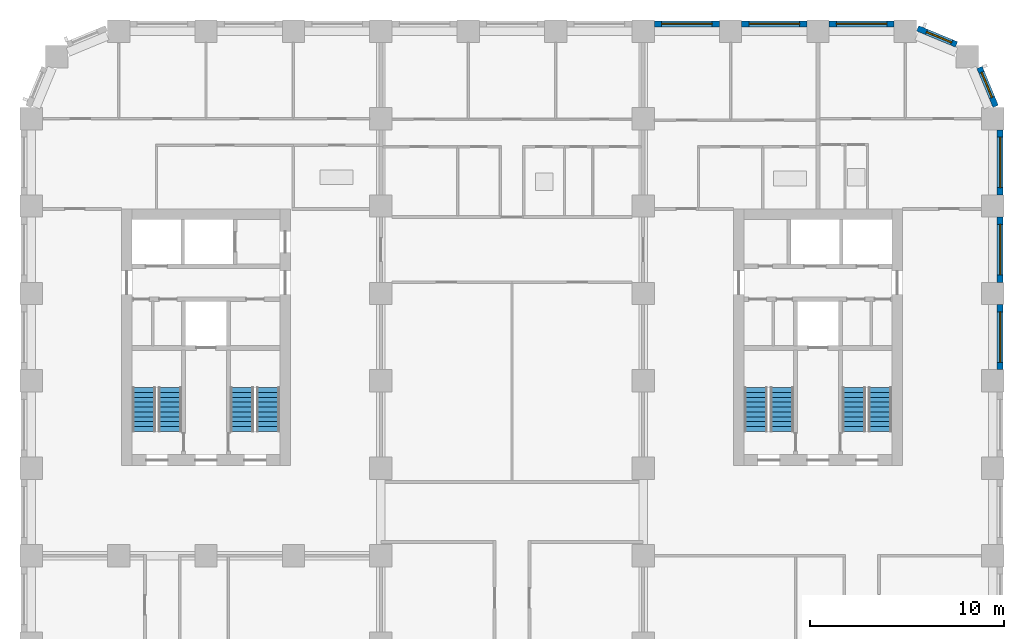
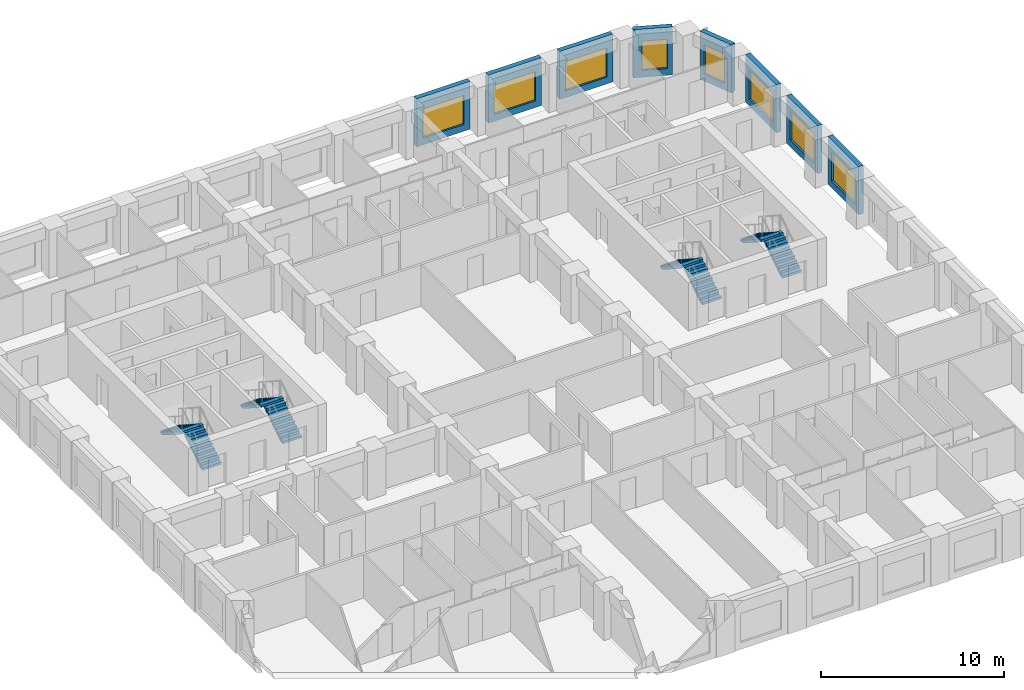
# One storey, part 10 of 13: 8 stair flights, 8 walls, 8 windows, 8 openings, 4 elements without a shape of their own.
"""IFC4 building model written with IfcOpenShell, lengths in metres."""

from ifc_helpers import new_model, si_unit, direction, frame, frame_2d, origin, place, context, subcontext, project, spatial, polyline, rectangle, outline, extrude, material, layer, layer_set, type_object, element, fill, aggregate, save


model = new_model("IFC4")

# Units and contexts
model_context = context("Model", 3, precision=1e-05, world=origin(), true_north=direction((0.0, 1.0)))
body_context = subcontext(model_context, "Body", "Model", "MODEL_VIEW")
ifc_project = project(units=[si_unit("LENGTHUNIT", "METRE"), si_unit("AREAUNIT", "SQUARE_METRE"), si_unit("VOLUMEUNIT", "CUBIC_METRE"), si_unit("PLANEANGLEUNIT", "RADIAN"), si_unit("MASSUNIT", "GRAM", prefix="KILO")], contexts=[model_context])

# Site, building, storey
site_placement = place(None, origin())
site = spatial("IfcSite", under=ifc_project, at=site_placement, CompositionType="ELEMENT")
building_placement = place(site_placement, origin())
building = spatial("IfcBuilding", under=site, at=building_placement, Name="Girih Gate Residences", CompositionType="ELEMENT")
storey_placement = place(building_placement, frame((0.0, 0.0, 83.199951171875)))
storey = spatial("IfcBuildingStorey", under=building, at=storey_placement, Name="L22", CompositionType="ELEMENT", Elevation=83.199951171875)

# Wall, opening, window
ifc_material_1 = material(Name="Precast concrete C50/60", Category="concrete")
ifc_layer_1 = layer(ifc_material_1, 0.080078125, Name="Outer leaf")
ifc_material_2 = material(Name="Rigid PIR insulation")
ifc_layer_2 = layer(ifc_material_2, 0.14990234375, Name="Insulation")
ifc_material_3 = material(Name="Precast concrete C40/50", Category="concrete")
ifc_layer_3 = layer(ifc_material_3, 0.070068359375, Name="Inner leaf")
ifc_layer_set = layer_set([ifc_layer_1, ifc_layer_2, ifc_layer_3], Name="Precast concrete C50/60 external wall 300")
wall_type = type_object("IfcWallType", Name="Precast concrete C50/60 external wall 300", PredefinedType="SOLIDWALL", material=ifc_layer_set)
wall_1_placement = place(storey_placement, frame((49.875, 35.425048828125, 0.0), z_axis=(0.0, 0.0, 1.0), x_axis=(0.0, -1.0, 0.0)))
wall_1 = element("IfcWall", 1, at=wall_1_placement, inside=storey, type_object=wall_type, Name="External wall E0495_0045.6", PredefinedType="SOLIDWALL", context=body_context, shape_type="SweptSolid", body=[
    extrude(rectangle(XDim=3.35009765625, YDim=0.300048828125, at=frame_2d((1.675048828125, 0.0))), origin(), (0.0, 0.0, 1.0), 3.199951171875),
])
opening_1_placement = place(wall_1_placement, frame((0.375, 0.0, 0.449951171875)))
opening_1 = element("IfcOpeningElement", 2, at=opening_1_placement, cuts=wall_1, Name="Opening W-1A", PredefinedType="OPENING", context=body_context, shape_type="SweptSolid", body=[
    extrude(rectangle(XDim=2.60009765625, YDim=1.949951171875, at=frame_2d((1.300048828125, 0.97509765625))), frame((0.0, 0.159912109375, 0.0), z_axis=(0.0, -1.0, 0.0), x_axis=(1.0, 0.0, 0.0)), (0.0, 0.0, 1.0), 0.320068359375),
])
ifc_material_4 = material(Name="Double glazing in aluminium frame", Category="aluminium")
window_type_1 = type_object("IfcWindowType", Name="Window W-1A 2600x1950", PartitioningType="SINGLE_PANEL", PredefinedType="WINDOW", material=ifc_material_4)
window_1_placement = place(opening_1_placement, origin())
window_1 = element("IfcWindow", 3, at=window_1_placement, inside=storey, type_object=window_type_1, Name="Window W-1A E0495_0045.6", OverallHeight=1.949951171875, OverallWidth=2.60009765625, PartitioningType="SINGLE_PANEL", PredefinedType="WINDOW", context=body_context, shape_type="SweptSolid", body=[
    extrude(rectangle(XDim=2.60009765625, YDim=1.949951171875, at=frame_2d((1.300048828125, 0.97509765625))), frame((0.0, 0.030029296875, 0.0), z_axis=(0.0, -1.0, 0.0), x_axis=(1.0, 0.0, 0.0)), (0.0, 0.0, 1.0), 0.06005859375),
])
fill(opening_1, window_1)

wall_2_placement = place(storey_placement, frame((49.875, 39.925048828125, 0.0), z_axis=(0.0, 0.0, 1.0), x_axis=(0.0, -1.0, 0.0)))
wall_2 = element("IfcWall", 4, at=wall_2_placement, inside=storey, type_object=wall_type, Name="External wall E0495_0045.7", PredefinedType="SOLIDWALL", context=body_context, shape_type="SweptSolid", body=[
    extrude(rectangle(XDim=3.35009765625, YDim=0.300048828125, at=frame_2d((1.675048828125, 0.0))), origin(), (0.0, 0.0, 1.0), 3.199951171875),
])
opening_2_placement = place(wall_2_placement, frame((0.375, 0.0, 0.449951171875)))
opening_2 = element("IfcOpeningElement", 5, at=opening_2_placement, cuts=wall_2, Name="Opening W-1A", PredefinedType="OPENING", context=body_context, shape_type="SweptSolid", body=[
    extrude(rectangle(XDim=2.60009765625, YDim=1.949951171875, at=frame_2d((1.300048828125, 0.97509765625))), frame((0.0, 0.159912109375, 0.0), z_axis=(0.0, -1.0, 0.0), x_axis=(1.0, 0.0, 0.0)), (0.0, 0.0, 1.0), 0.320068359375),
])
window_2_placement = place(opening_2_placement, origin())
window_2 = element("IfcWindow", 6, at=window_2_placement, inside=storey, type_object=window_type_1, Name="Window W-1A E0495_0045.7", OverallHeight=1.949951171875, OverallWidth=2.60009765625, PartitioningType="SINGLE_PANEL", PredefinedType="WINDOW", context=body_context, shape_type="SweptSolid", body=[
    extrude(rectangle(XDim=2.60009765625, YDim=1.949951171875, at=frame_2d((1.300048828125, 0.97509765625))), frame((0.0, 0.030029296875, 0.0), z_axis=(0.0, -1.0, 0.0), x_axis=(1.0, 0.0, 0.0)), (0.0, 0.0, 1.0), 0.06005859375),
])
fill(opening_2, window_2)

wall_3_placement = place(storey_placement, frame((49.875, 44.425048828125, 0.0), z_axis=(0.0, 0.0, 1.0), x_axis=(0.0, -1.0, 0.0)))
wall_3 = element("IfcWall", 7, at=wall_3_placement, inside=storey, type_object=wall_type, Name="External wall E0495_0045.8", PredefinedType="SOLIDWALL", context=body_context, shape_type="SweptSolid", body=[
    extrude(rectangle(XDim=3.35009765625, YDim=0.300048828125, at=frame_2d((1.675048828125, 0.0))), origin(), (0.0, 0.0, 1.0), 3.199951171875),
])
opening_3_placement = place(wall_3_placement, frame((0.375, 0.0, 0.449951171875)))
opening_3 = element("IfcOpeningElement", 8, at=opening_3_placement, cuts=wall_3, Name="Opening W-1A", PredefinedType="OPENING", context=body_context, shape_type="SweptSolid", body=[
    extrude(rectangle(XDim=2.60009765625, YDim=1.949951171875, at=frame_2d((1.300048828125, 0.97509765625))), frame((0.0, 0.159912109375, 0.0), z_axis=(0.0, -1.0, 0.0), x_axis=(1.0, 0.0, 0.0)), (0.0, 0.0, 1.0), 0.320068359375),
])
window_3_placement = place(opening_3_placement, origin())
window_3 = element("IfcWindow", 9, at=window_3_placement, inside=storey, type_object=window_type_1, Name="Window W-1A E0495_0045.8", OverallHeight=1.949951171875, OverallWidth=2.60009765625, PartitioningType="SINGLE_PANEL", PredefinedType="WINDOW", context=body_context, shape_type="SweptSolid", body=[
    extrude(rectangle(XDim=2.60009765625, YDim=1.949951171875, at=frame_2d((1.300048828125, 0.97509765625))), frame((0.0, 0.030029296875, 0.0), z_axis=(0.0, -1.0, 0.0), x_axis=(1.0, 0.0, 0.0)), (0.0, 0.0, 1.0), 0.06005859375),
])
fill(opening_3, window_3)

wall_4_placement = place(storey_placement, frame((48.81591796875, 47.63134765625, 0.0), z_axis=(0.0, 0.0, 1.0), x_axis=(0.382723818695, -0.923862802911, 0.0)))
wall_4 = element("IfcWall", 10, at=wall_4_placement, inside=storey, type_object=wall_type, Name="External wall NE0495_0450.0", PredefinedType="SOLIDWALL", context=body_context, shape_type="SweptSolid", body=[
    extrude(rectangle(XDim=2.163818359375, YDim=0.300048828125, at=frame_2d((1.08203125, 0.0))), origin(), (0.0, 0.0, 1.0), 3.199951171875),
])
opening_4_placement = place(wall_4_placement, frame((0.270751953125, 0.0, 0.449951171875)))
opening_4 = element("IfcOpeningElement", 11, at=opening_4_placement, cuts=wall_4, Name="Opening W-2D", PredefinedType="OPENING", context=body_context, shape_type="SweptSolid", body=[
    extrude(rectangle(XDim=1.39990234375, YDim=1.949951171875, at=frame_2d((0.699951171875, 0.97509765625))), frame((0.0, 0.159912109375, 0.0), z_axis=(0.0, -1.0, 0.0), x_axis=(1.0, 0.0, 0.0)), (0.0, 0.0, 1.0), 0.320068359375),
])
window_type_2 = type_object("IfcWindowType", Name="Window W-2D 1400x1950", PartitioningType="SINGLE_PANEL", PredefinedType="WINDOW", material=ifc_material_4)
window_4_placement = place(opening_4_placement, origin())
window_4 = element("IfcWindow", 12, at=window_4_placement, inside=storey, type_object=window_type_2, Name="Window W-2D NE0495_0450.0", OverallHeight=1.949951171875, OverallWidth=1.39990234375, PartitioningType="SINGLE_PANEL", PredefinedType="WINDOW", context=body_context, shape_type="SweptSolid", body=[
    extrude(rectangle(XDim=1.39990234375, YDim=1.949951171875, at=frame_2d((0.699951171875, 0.97509765625))), frame((0.0, 0.030029296875, 0.0), z_axis=(0.0, -1.0, 0.0), x_axis=(1.0, 0.0, 0.0)), (0.0, 0.0, 1.0), 0.06005859375),
])
fill(opening_4, window_4)

wall_5_placement = place(storey_placement, frame((45.63232421875, 49.64404296875, 0.0), z_axis=(0.0, 0.0, 1.0), x_axis=(0.923862802911, -0.382723818695, 0.0)))
wall_5 = element("IfcWall", 13, at=wall_5_placement, inside=storey, type_object=wall_type, Name="External wall NE0482_0482.0", PredefinedType="SOLIDWALL", context=body_context, shape_type="SweptSolid", body=[
    extrude(rectangle(XDim=2.163818359375, YDim=0.300048828125, at=frame_2d((1.08203125, 0.0))), origin(), (0.0, 0.0, 1.0), 3.199951171875),
])
opening_5_placement = place(wall_5_placement, frame((0.492919921875, 0.0, 0.449951171875)))
opening_5 = element("IfcOpeningElement", 14, at=opening_5_placement, cuts=wall_5, Name="Opening W-2D", PredefinedType="OPENING", context=body_context, shape_type="SweptSolid", body=[
    extrude(rectangle(XDim=1.39990234375, YDim=1.949951171875, at=frame_2d((0.699951171875, 0.97509765625))), frame((0.0, 0.159912109375, 0.0), z_axis=(0.0, -1.0, 0.0), x_axis=(1.0, 0.0, 0.0)), (0.0, 0.0, 1.0), 0.320068359375),
])
window_5_placement = place(opening_5_placement, origin())
window_5 = element("IfcWindow", 15, at=window_5_placement, inside=storey, type_object=window_type_2, Name="Window W-2D NE0482_0482.0", OverallHeight=1.949951171875, OverallWidth=1.39990234375, PartitioningType="SINGLE_PANEL", PredefinedType="WINDOW", context=body_context, shape_type="SweptSolid", body=[
    extrude(rectangle(XDim=1.39990234375, YDim=1.949951171875, at=frame_2d((0.699951171875, 0.97509765625))), frame((0.0, 0.030029296875, 0.0), z_axis=(0.0, -1.0, 0.0), x_axis=(1.0, 0.0, 0.0)), (0.0, 0.0, 1.0), 0.06005859375),
])
fill(opening_5, window_5)

wall_6_placement = place(storey_placement, frame((41.074951171875, 49.875, 0.0), z_axis=(0.0, 0.0, 1.0), x_axis=(1.0, 0.0, 0.0)))
wall_6 = element("IfcWall", 16, at=wall_6_placement, inside=storey, type_object=wall_type, Name="External wall N0450_0495.0", PredefinedType="SOLIDWALL", context=body_context, shape_type="SweptSolid", body=[
    extrude(rectangle(XDim=3.35009765625, YDim=0.300048828125, at=frame_2d((1.675048828125, 0.0))), origin(), (0.0, 0.0, 1.0), 3.199951171875),
])
opening_6_placement = place(wall_6_placement, frame((0.375, 0.0, 0.449951171875)))
opening_6 = element("IfcOpeningElement", 17, at=opening_6_placement, cuts=wall_6, Name="Opening W-1A", PredefinedType="OPENING", context=body_context, shape_type="SweptSolid", body=[
    extrude(rectangle(XDim=2.60009765625, YDim=1.949951171875, at=frame_2d((1.300048828125, 0.97509765625))), frame((0.0, 0.159912109375, 0.0), z_axis=(0.0, -1.0, 0.0), x_axis=(1.0, 0.0, 0.0)), (0.0, 0.0, 1.0), 0.320068359375),
])
window_6_placement = place(opening_6_placement, origin())
window_6 = element("IfcWindow", 18, at=window_6_placement, inside=storey, type_object=window_type_1, Name="Window W-1A N0450_0495.0", OverallHeight=1.949951171875, OverallWidth=2.60009765625, PartitioningType="SINGLE_PANEL", PredefinedType="WINDOW", context=body_context, shape_type="SweptSolid", body=[
    extrude(rectangle(XDim=2.60009765625, YDim=1.949951171875, at=frame_2d((1.300048828125, 0.97509765625))), frame((0.0, 0.030029296875, 0.0), z_axis=(0.0, -1.0, 0.0), x_axis=(1.0, 0.0, 0.0)), (0.0, 0.0, 1.0), 0.06005859375),
])
fill(opening_6, window_6)

wall_7_placement = place(storey_placement, frame((36.574951171875, 49.875, 0.0), z_axis=(0.0, 0.0, 1.0), x_axis=(1.0, 0.0, 0.0)))
wall_7 = element("IfcWall", 19, at=wall_7_placement, inside=storey, type_object=wall_type, Name="External wall N0450_0495.1", PredefinedType="SOLIDWALL", context=body_context, shape_type="SweptSolid", body=[
    extrude(rectangle(XDim=3.35009765625, YDim=0.300048828125, at=frame_2d((1.675048828125, 0.0))), origin(), (0.0, 0.0, 1.0), 3.199951171875),
])
opening_7_placement = place(wall_7_placement, frame((0.375, 0.0, 0.449951171875)))
opening_7 = element("IfcOpeningElement", 20, at=opening_7_placement, cuts=wall_7, Name="Opening W-1A", PredefinedType="OPENING", context=body_context, shape_type="SweptSolid", body=[
    extrude(rectangle(XDim=2.60009765625, YDim=1.949951171875, at=frame_2d((1.300048828125, 0.97509765625))), frame((0.0, 0.159912109375, 0.0), z_axis=(0.0, -1.0, 0.0), x_axis=(1.0, 0.0, 0.0)), (0.0, 0.0, 1.0), 0.320068359375),
])
window_7_placement = place(opening_7_placement, origin())
window_7 = element("IfcWindow", 21, at=window_7_placement, inside=storey, type_object=window_type_1, Name="Window W-1A N0450_0495.1", OverallHeight=1.949951171875, OverallWidth=2.60009765625, PartitioningType="SINGLE_PANEL", PredefinedType="WINDOW", context=body_context, shape_type="SweptSolid", body=[
    extrude(rectangle(XDim=2.60009765625, YDim=1.949951171875, at=frame_2d((1.300048828125, 0.97509765625))), frame((0.0, 0.030029296875, 0.0), z_axis=(0.0, -1.0, 0.0), x_axis=(1.0, 0.0, 0.0)), (0.0, 0.0, 1.0), 0.06005859375),
])
fill(opening_7, window_7)

wall_8_placement = place(storey_placement, frame((32.074951171875, 49.875, 0.0), z_axis=(0.0, 0.0, 1.0), x_axis=(1.0, 0.0, 0.0)))
wall_8 = element("IfcWall", 22, at=wall_8_placement, inside=storey, type_object=wall_type, Name="External wall N0450_0495.2", PredefinedType="SOLIDWALL", context=body_context, shape_type="SweptSolid", body=[
    extrude(rectangle(XDim=3.35009765625, YDim=0.300048828125, at=frame_2d((1.675048828125, 0.0))), origin(), (0.0, 0.0, 1.0), 3.199951171875),
])
opening_8_placement = place(wall_8_placement, frame((0.375, 0.0, 0.449951171875)))
opening_8 = element("IfcOpeningElement", 23, at=opening_8_placement, cuts=wall_8, Name="Opening W-1A", PredefinedType="OPENING", context=body_context, shape_type="SweptSolid", body=[
    extrude(rectangle(XDim=2.60009765625, YDim=1.949951171875, at=frame_2d((1.300048828125, 0.97509765625))), frame((0.0, 0.159912109375, 0.0), z_axis=(0.0, -1.0, 0.0), x_axis=(1.0, 0.0, 0.0)), (0.0, 0.0, 1.0), 0.320068359375),
])
window_8_placement = place(opening_8_placement, origin())
window_8 = element("IfcWindow", 24, at=window_8_placement, inside=storey, type_object=window_type_1, Name="Window W-1A N0450_0495.2", OverallHeight=1.949951171875, OverallWidth=2.60009765625, PartitioningType="SINGLE_PANEL", PredefinedType="WINDOW", context=body_context, shape_type="SweptSolid", body=[
    extrude(rectangle(XDim=2.60009765625, YDim=1.949951171875, at=frame_2d((1.300048828125, 0.97509765625))), frame((0.0, 0.030029296875, 0.0), z_axis=(0.0, -1.0, 0.0), x_axis=(1.0, 0.0, 0.0)), (0.0, 0.0, 1.0), 0.06005859375),
])
fill(opening_8, window_8)

# Stair, stair flights
ifc_material_5 = material(Name="Concrete C40/50", Category="concrete")
stair_type = type_object("IfcStairType", Name="Exit stair", PredefinedType="HALF_TURN_STAIR", material=ifc_material_5)
stair_1_placement = place(storey_placement, origin())
stair_1 = element("IfcStair", 25, at=stair_1_placement, inside=storey, type_object=stair_type, Name="L22 Exit Stair ST-W1", PredefinedType="HALF_TURN_STAIR")
stair_flight_type = type_object("IfcStairFlightType", Name="Stair flight 1200", PredefinedType="STRAIGHT", material=ifc_material_5)
stair_flight_1_placement = place(storey_placement, frame((7.14990234375, 28.89990234375, 0.0), z_axis=(0.0, 0.0, 1.0), x_axis=(0.0, 1.0, 0.0)))
stair_flight_1 = element("IfcStairFlight", 26, at=stair_flight_1_placement, type_object=stair_flight_type, Name="ST-W1 flight 1", NumberOfRisers=10, NumberOfTreads=9, PredefinedType="STRAIGHT", RiserHeight=0.16, TreadLength=0.25, context=body_context, shape_type="SweptSolid", body=[
    extrude(outline(polyline([(0.0, 0.0), (0.0, 0.159912109375), (0.25, 0.159912109375), (0.25, 0.320068359375), (0.5, 0.320068359375), (0.5, 0.47998046875), (0.75, 0.47998046875), (0.75, 0.639892578125), (1.0, 0.639892578125), (1.0, 0.800048828125), (1.25, 0.800048828125), (1.25, 0.9599609375), (1.5, 0.9599609375), (1.5, 1.1201171875), (1.75, 1.1201171875), (1.75, 1.280029296875), (2.0, 1.280029296875), (2.0, 1.43994140625), (2.25, 1.43994140625), (2.25, 1.60009765625), (2.25, 1.29736328125), (0.222900390625, 0.0), (0.0, 0.0)])), frame((0.0, 0.60009765625, 0.0), z_axis=(0.0, -1.0, 0.0), x_axis=(1.0, 0.0, 0.0)), (0.0, 0.0, 1.0), 1.199951171875),
])
stair_flight_2_placement = place(storey_placement, frame((5.800048828125, 31.14990234375, 1.60009765625), z_axis=(0.0, 0.0, 1.0), x_axis=(0.0, -1.0, 0.0)))
stair_flight_2 = element("IfcStairFlight", 27, at=stair_flight_2_placement, type_object=stair_flight_type, Name="ST-W1 flight 2", NumberOfRisers=10, NumberOfTreads=9, PredefinedType="STRAIGHT", RiserHeight=0.16, TreadLength=0.25, context=body_context, shape_type="SweptSolid", body=[
    extrude(outline(polyline([(0.0, 0.0), (0.0, 0.159912109375), (0.25, 0.159912109375), (0.25, 0.320068359375), (0.5, 0.320068359375), (0.5, 0.47998046875), (0.75, 0.47998046875), (0.75, 0.639892578125), (1.0, 0.639892578125), (1.0, 0.800048828125), (1.25, 0.800048828125), (1.25, 0.9599609375), (1.5, 0.9599609375), (1.5, 1.1201171875), (1.75, 1.1201171875), (1.75, 1.280029296875), (2.0, 1.280029296875), (2.0, 1.43994140625), (2.25, 1.43994140625), (2.25, 1.60009765625), (2.25, 1.29736328125), (0.222900390625, 0.0), (0.0, 0.0)])), frame((0.0, 0.60009765625, 0.0), z_axis=(0.0, -1.0, 0.0), x_axis=(1.0, 0.0, 0.0)), (0.0, 0.0, 1.0), 1.199951171875),
])
aggregate(stair_1, [stair_flight_1, stair_flight_2])

stair_2_placement = place(storey_placement, origin())
stair_2 = element("IfcStair", 28, at=stair_2_placement, inside=storey, type_object=stair_type, Name="L22 Exit Stair ST-W2", PredefinedType="HALF_TURN_STAIR")
stair_flight_3_placement = place(storey_placement, frame((12.199951171875, 28.89990234375, 0.0), z_axis=(0.0, 0.0, 1.0), x_axis=(0.0, 1.0, 0.0)))
stair_flight_3 = element("IfcStairFlight", 29, at=stair_flight_3_placement, type_object=stair_flight_type, Name="ST-W2 flight 1", NumberOfRisers=10, NumberOfTreads=9, PredefinedType="STRAIGHT", RiserHeight=0.16, TreadLength=0.25, context=body_context, shape_type="SweptSolid", body=[
    extrude(outline(polyline([(0.0, 0.0), (0.0, 0.159912109375), (0.25, 0.159912109375), (0.25, 0.320068359375), (0.5, 0.320068359375), (0.5, 0.47998046875), (0.75, 0.47998046875), (0.75, 0.639892578125), (1.0, 0.639892578125), (1.0, 0.800048828125), (1.25, 0.800048828125), (1.25, 0.9599609375), (1.5, 0.9599609375), (1.5, 1.1201171875), (1.75, 1.1201171875), (1.75, 1.280029296875), (2.0, 1.280029296875), (2.0, 1.43994140625), (2.25, 1.43994140625), (2.25, 1.60009765625), (2.25, 1.29736328125), (0.222900390625, 0.0), (0.0, 0.0)])), frame((0.0, 0.60009765625, 0.0), z_axis=(0.0, -1.0, 0.0), x_axis=(1.0, 0.0, 0.0)), (0.0, 0.0, 1.0), 1.199951171875),
])
stair_flight_4_placement = place(storey_placement, frame((10.85009765625, 31.14990234375, 1.60009765625), z_axis=(0.0, 0.0, 1.0), x_axis=(0.0, -1.0, 0.0)))
stair_flight_4 = element("IfcStairFlight", 30, at=stair_flight_4_placement, type_object=stair_flight_type, Name="ST-W2 flight 2", NumberOfRisers=10, NumberOfTreads=9, PredefinedType="STRAIGHT", RiserHeight=0.16, TreadLength=0.25, context=body_context, shape_type="SweptSolid", body=[
    extrude(outline(polyline([(0.0, 0.0), (0.0, 0.159912109375), (0.25, 0.159912109375), (0.25, 0.320068359375), (0.5, 0.320068359375), (0.5, 0.47998046875), (0.75, 0.47998046875), (0.75, 0.639892578125), (1.0, 0.639892578125), (1.0, 0.800048828125), (1.25, 0.800048828125), (1.25, 0.9599609375), (1.5, 0.9599609375), (1.5, 1.1201171875), (1.75, 1.1201171875), (1.75, 1.280029296875), (2.0, 1.280029296875), (2.0, 1.43994140625), (2.25, 1.43994140625), (2.25, 1.60009765625), (2.25, 1.29736328125), (0.222900390625, 0.0), (0.0, 0.0)])), frame((0.0, 0.60009765625, 0.0), z_axis=(0.0, -1.0, 0.0), x_axis=(1.0, 0.0, 0.0)), (0.0, 0.0, 1.0), 1.199951171875),
])
aggregate(stair_2, [stair_flight_3, stair_flight_4])

stair_3_placement = place(storey_placement, origin())
stair_3 = element("IfcStair", 31, at=stair_3_placement, inside=storey, type_object=stair_type, Name="L22 Exit Stair ST-E1", PredefinedType="HALF_TURN_STAIR")
stair_flight_5_placement = place(storey_placement, frame((43.699951171875, 28.89990234375, 0.0), z_axis=(0.0, 0.0, 1.0), x_axis=(0.0, 1.0, 0.0)))
stair_flight_5 = element("IfcStairFlight", 32, at=stair_flight_5_placement, type_object=stair_flight_type, Name="ST-E1 flight 1", NumberOfRisers=10, NumberOfTreads=9, PredefinedType="STRAIGHT", RiserHeight=0.16, TreadLength=0.25, context=body_context, shape_type="SweptSolid", body=[
    extrude(outline(polyline([(0.0, 0.0), (0.0, 0.159912109375), (0.25, 0.159912109375), (0.25, 0.320068359375), (0.5, 0.320068359375), (0.5, 0.47998046875), (0.75, 0.47998046875), (0.75, 0.639892578125), (1.0, 0.639892578125), (1.0, 0.800048828125), (1.25, 0.800048828125), (1.25, 0.9599609375), (1.5, 0.9599609375), (1.5, 1.1201171875), (1.75, 1.1201171875), (1.75, 1.280029296875), (2.0, 1.280029296875), (2.0, 1.43994140625), (2.25, 1.43994140625), (2.25, 1.60009765625), (2.25, 1.29736328125), (0.222900390625, 0.0), (0.0, 0.0)])), frame((0.0, 0.60009765625, 0.0), z_axis=(0.0, -1.0, 0.0), x_axis=(1.0, 0.0, 0.0)), (0.0, 0.0, 1.0), 1.199951171875),
])
stair_flight_6_placement = place(storey_placement, frame((42.35009765625, 31.14990234375, 1.60009765625), z_axis=(0.0, 0.0, 1.0), x_axis=(0.0, -1.0, 0.0)))
stair_flight_6 = element("IfcStairFlight", 33, at=stair_flight_6_placement, type_object=stair_flight_type, Name="ST-E1 flight 2", NumberOfRisers=10, NumberOfTreads=9, PredefinedType="STRAIGHT", RiserHeight=0.16, TreadLength=0.25, context=body_context, shape_type="SweptSolid", body=[
    extrude(outline(polyline([(0.0, 0.0), (0.0, 0.159912109375), (0.25, 0.159912109375), (0.25, 0.320068359375), (0.5, 0.320068359375), (0.5, 0.47998046875), (0.75, 0.47998046875), (0.75, 0.639892578125), (1.0, 0.639892578125), (1.0, 0.800048828125), (1.25, 0.800048828125), (1.25, 0.9599609375), (1.5, 0.9599609375), (1.5, 1.1201171875), (1.75, 1.1201171875), (1.75, 1.280029296875), (2.0, 1.280029296875), (2.0, 1.43994140625), (2.25, 1.43994140625), (2.25, 1.60009765625), (2.25, 1.29736328125), (0.222900390625, 0.0), (0.0, 0.0)])), frame((0.0, 0.60009765625, 0.0), z_axis=(0.0, -1.0, 0.0), x_axis=(1.0, 0.0, 0.0)), (0.0, 0.0, 1.0), 1.199951171875),
])
aggregate(stair_3, [stair_flight_5, stair_flight_6])

stair_4_placement = place(storey_placement, origin())
stair_4 = element("IfcStair", 34, at=stair_4_placement, inside=storey, type_object=stair_type, Name="L22 Exit Stair ST-E2", PredefinedType="HALF_TURN_STAIR")
stair_flight_7_placement = place(storey_placement, frame((38.64990234375, 28.89990234375, 0.0), z_axis=(0.0, 0.0, 1.0), x_axis=(0.0, 1.0, 0.0)))
stair_flight_7 = element("IfcStairFlight", 35, at=stair_flight_7_placement, type_object=stair_flight_type, Name="ST-E2 flight 1", NumberOfRisers=10, NumberOfTreads=9, PredefinedType="STRAIGHT", RiserHeight=0.16, TreadLength=0.25, context=body_context, shape_type="SweptSolid", body=[
    extrude(outline(polyline([(0.0, 0.0), (0.0, 0.159912109375), (0.25, 0.159912109375), (0.25, 0.320068359375), (0.5, 0.320068359375), (0.5, 0.47998046875), (0.75, 0.47998046875), (0.75, 0.639892578125), (1.0, 0.639892578125), (1.0, 0.800048828125), (1.25, 0.800048828125), (1.25, 0.9599609375), (1.5, 0.9599609375), (1.5, 1.1201171875), (1.75, 1.1201171875), (1.75, 1.280029296875), (2.0, 1.280029296875), (2.0, 1.43994140625), (2.25, 1.43994140625), (2.25, 1.60009765625), (2.25, 1.29736328125), (0.222900390625, 0.0), (0.0, 0.0)])), frame((0.0, 0.60009765625, 0.0), z_axis=(0.0, -1.0, 0.0), x_axis=(1.0, 0.0, 0.0)), (0.0, 0.0, 1.0), 1.199951171875),
])
stair_flight_8_placement = place(storey_placement, frame((37.300048828125, 31.14990234375, 1.60009765625), z_axis=(0.0, 0.0, 1.0), x_axis=(0.0, -1.0, 0.0)))
stair_flight_8 = element("IfcStairFlight", 36, at=stair_flight_8_placement, type_object=stair_flight_type, Name="ST-E2 flight 2", NumberOfRisers=10, NumberOfTreads=9, PredefinedType="STRAIGHT", RiserHeight=0.16, TreadLength=0.25, context=body_context, shape_type="SweptSolid", body=[
    extrude(outline(polyline([(0.0, 0.0), (0.0, 0.159912109375), (0.25, 0.159912109375), (0.25, 0.320068359375), (0.5, 0.320068359375), (0.5, 0.47998046875), (0.75, 0.47998046875), (0.75, 0.639892578125), (1.0, 0.639892578125), (1.0, 0.800048828125), (1.25, 0.800048828125), (1.25, 0.9599609375), (1.5, 0.9599609375), (1.5, 1.1201171875), (1.75, 1.1201171875), (1.75, 1.280029296875), (2.0, 1.280029296875), (2.0, 1.43994140625), (2.25, 1.43994140625), (2.25, 1.60009765625), (2.25, 1.29736328125), (0.222900390625, 0.0), (0.0, 0.0)])), frame((0.0, 0.60009765625, 0.0), z_axis=(0.0, -1.0, 0.0), x_axis=(1.0, 0.0, 0.0)), (0.0, 0.0, 1.0), 1.199951171875),
])
aggregate(stair_4, [stair_flight_7, stair_flight_8])

save(model, "model.ifc")
